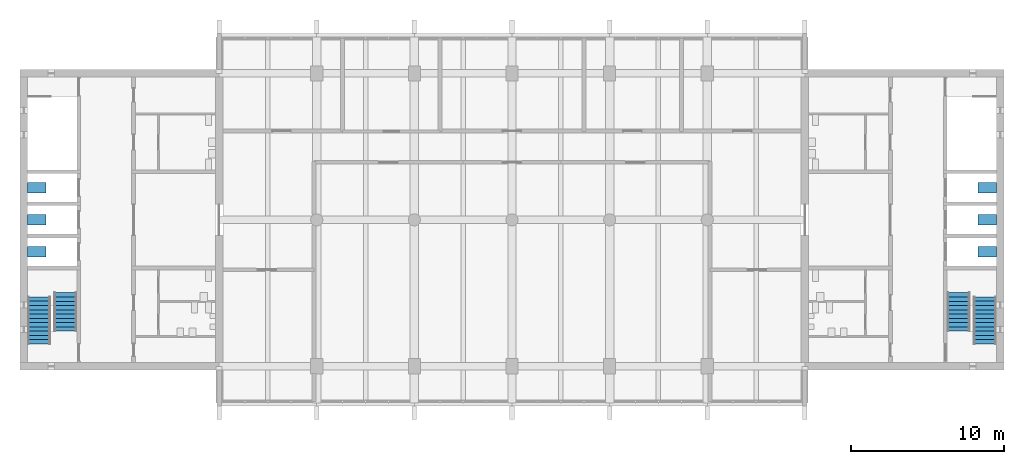
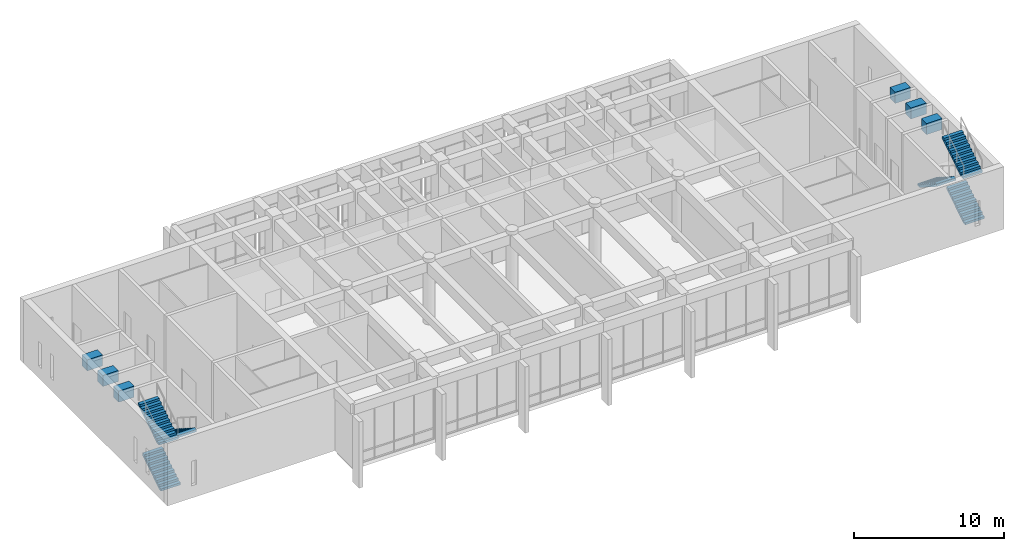
# One storey, part 7 of 10: 6 building element parts, 6 stair flights, 2 elements without a shape of their own.
"""IFC4 building model written with IfcOpenShell, lengths in metres."""

from ifc_helpers import new_model, si_unit, direction, frame, origin, origin_2d, place, context, subcontext, project, spatial, polyline, rectangle, outline, extrude, material, type_object, element, aggregate, save


model = new_model("IFC4")

# Units and contexts
model_context = context("Model", 3, precision=1e-05, world=origin(), true_north=direction((0.0, 1.0)))
body_context = subcontext(model_context, "Body", "Model", "MODEL_VIEW")
ifc_project = project(units=[si_unit("LENGTHUNIT", "METRE"), si_unit("AREAUNIT", "SQUARE_METRE"), si_unit("VOLUMEUNIT", "CUBIC_METRE"), si_unit("PLANEANGLEUNIT", "RADIAN"), si_unit("MASSUNIT", "GRAM", prefix="KILO")], contexts=[model_context])

# Site, building, storey
site_placement = place(None, origin())
site = spatial("IfcSite", under=ifc_project, at=site_placement, CompositionType="ELEMENT")
building_placement = place(site_placement, origin())
building = spatial("IfcBuilding", under=site, at=building_placement, Name="Fogon Plaza Fire Station and Headquarters Tower", CompositionType="ELEMENT")
storey_placement = place(building_placement, frame((0.0, 0.0, 64.199951171875)))
storey = spatial("IfcBuildingStorey", under=building, at=storey_placement, Name="L16", CompositionType="ELEMENT", Elevation=64.199951171875)

# Stair, stair flights
ifc_material_1 = material(Name="Concrete C40", Category="concrete")
stair_type = type_object("IfcStairType", Name="Exit Stair Two Flights", PredefinedType="TWO_STRAIGHT_RUN_STAIR", material=ifc_material_1)
stair_1_placement = place(storey_placement, origin())
stair_1 = element("IfcStair", 1, at=stair_1_placement, inside=storey, type_object=stair_type, Name="Stair ST1", PredefinedType="TWO_STRAIGHT_RUN_STAIR")
ifc_material_2 = material(Name="Concrete C40", Category="concrete")
stair_flight_type_1 = type_object("IfcStairFlightType", Name="Stair Flight 10 Risers", PredefinedType="STRAIGHT", material=ifc_material_2)
stair_flight_1_placement = place(storey_placement, frame((13.800048828125, 35.060791015625, 0.0), z_axis=(0.0, 0.0, 1.0), x_axis=(0.0, 1.0, 0.0)))
stair_flight_1 = element("IfcStairFlight", 2, at=stair_flight_1_placement, type_object=stair_flight_type_1, Name="ST1 flight F35", NumberOfRisers=10, NumberOfTreads=9, PredefinedType="STRAIGHT", RiserHeight=0.178387097, TreadLength=0.28, context=body_context, shape_type="SweptSolid", body=[
    extrude(outline(polyline([(0.0, 0.0), (0.0, 0.178466796875), (0.280029296875, 0.178466796875), (0.280029296875, 0.356689453125), (0.56005859375, 0.356689453125), (0.56005859375, 0.53515625), (0.840087890625, 0.53515625), (0.840087890625, 0.713623046875), (1.1201171875, 0.713623046875), (1.1201171875, 0.891845703125), (1.39990234375, 0.891845703125), (1.39990234375, 1.0703125), (1.679931640625, 1.0703125), (1.679931640625, 1.248779296875), (1.9599609375, 1.248779296875), (1.9599609375, 1.427001953125), (2.239990234375, 1.427001953125), (2.239990234375, 1.60546875), (2.52001953125, 1.60546875), (2.52001953125, 1.783935546875), (2.52001953125, 1.427734375), (0.279052734375, 0.0), (0.0, 0.0)])), frame((0.0, 0.75, 0.0), z_axis=(0.0, -1.0, 0.0), x_axis=(1.0, 0.0, 0.0)), (0.0, 0.0, 1.0), 1.5),
])
stair_flight_2_placement = place(storey_placement, frame((15.52490234375, 38.42431640625, 1.783935546875), z_axis=(0.0, 0.0, 1.0), x_axis=(0.0, -1.0, 0.0)))
stair_flight_2 = element("IfcStairFlight", 3, at=stair_flight_2_placement, type_object=stair_flight_type_1, Name="ST1 flight F36", NumberOfRisers=10, NumberOfTreads=9, PredefinedType="STRAIGHT", RiserHeight=0.178387097, TreadLength=0.28, context=body_context, shape_type="SweptSolid", body=[
    extrude(outline(polyline([(0.0, 0.0), (0.0, 0.178466796875), (0.280029296875, 0.178466796875), (0.280029296875, 0.356689453125), (0.56005859375, 0.356689453125), (0.56005859375, 0.53515625), (0.840087890625, 0.53515625), (0.840087890625, 0.713623046875), (1.1201171875, 0.713623046875), (1.1201171875, 0.891845703125), (1.39990234375, 0.891845703125), (1.39990234375, 1.0703125), (1.679931640625, 1.0703125), (1.679931640625, 1.248779296875), (1.9599609375, 1.248779296875), (1.9599609375, 1.427001953125), (2.239990234375, 1.427001953125), (2.239990234375, 1.60546875), (2.52001953125, 1.60546875), (2.52001953125, 1.783935546875), (2.52001953125, 1.427734375), (0.279052734375, 0.0), (0.0, 0.0)])), frame((0.0, 0.75, 0.0), z_axis=(0.0, -1.0, 0.0), x_axis=(1.0, 0.0, 0.0)), (0.0, 0.0, 1.0), 1.5),
])

stair_2_placement = place(storey_placement, origin())
stair_2 = element("IfcStair", 4, at=stair_2_placement, inside=storey, type_object=stair_type, Name="Stair ST3", PredefinedType="TWO_STRAIGHT_RUN_STAIR")
stair_flight_3_placement = place(storey_placement, frame((75.800048828125, 35.060791015625, 0.0), z_axis=(0.0, 0.0, 1.0), x_axis=(0.0, 1.0, 0.0)))
stair_flight_3 = element("IfcStairFlight", 5, at=stair_flight_3_placement, type_object=stair_flight_type_1, Name="ST3 flight F35", NumberOfRisers=10, NumberOfTreads=9, PredefinedType="STRAIGHT", RiserHeight=0.178387097, TreadLength=0.28, context=body_context, shape_type="SweptSolid", body=[
    extrude(outline(polyline([(0.0, 0.0), (0.0, 0.178466796875), (0.280029296875, 0.178466796875), (0.280029296875, 0.356689453125), (0.56005859375, 0.356689453125), (0.56005859375, 0.53515625), (0.840087890625, 0.53515625), (0.840087890625, 0.713623046875), (1.1201171875, 0.713623046875), (1.1201171875, 0.891845703125), (1.39990234375, 0.891845703125), (1.39990234375, 1.0703125), (1.679931640625, 1.0703125), (1.679931640625, 1.248779296875), (1.9599609375, 1.248779296875), (1.9599609375, 1.427001953125), (2.239990234375, 1.427001953125), (2.239990234375, 1.60546875), (2.52001953125, 1.60546875), (2.52001953125, 1.783935546875), (2.52001953125, 1.427734375), (0.279052734375, 0.0), (0.0, 0.0)])), frame((0.0, 0.75, 0.0), z_axis=(0.0, -1.0, 0.0), x_axis=(1.0, 0.0, 0.0)), (0.0, 0.0, 1.0), 1.5),
])
stair_flight_4_placement = place(storey_placement, frame((74.074951171875, 38.42431640625, 1.783935546875), z_axis=(0.0, 0.0, 1.0), x_axis=(0.0, -1.0, 0.0)))
stair_flight_4 = element("IfcStairFlight", 6, at=stair_flight_4_placement, type_object=stair_flight_type_1, Name="ST3 flight F36", NumberOfRisers=10, NumberOfTreads=9, PredefinedType="STRAIGHT", RiserHeight=0.178387097, TreadLength=0.28, context=body_context, shape_type="SweptSolid", body=[
    extrude(outline(polyline([(0.0, 0.0), (0.0, 0.178466796875), (0.280029296875, 0.178466796875), (0.280029296875, 0.356689453125), (0.56005859375, 0.356689453125), (0.56005859375, 0.53515625), (0.840087890625, 0.53515625), (0.840087890625, 0.713623046875), (1.1201171875, 0.713623046875), (1.1201171875, 0.891845703125), (1.39990234375, 0.891845703125), (1.39990234375, 1.0703125), (1.679931640625, 1.0703125), (1.679931640625, 1.248779296875), (1.9599609375, 1.248779296875), (1.9599609375, 1.427001953125), (2.239990234375, 1.427001953125), (2.239990234375, 1.60546875), (2.52001953125, 1.60546875), (2.52001953125, 1.783935546875), (2.52001953125, 1.427734375), (0.279052734375, 0.0), (0.0, 0.0)])), frame((0.0, 0.75, 0.0), z_axis=(0.0, -1.0, 0.0), x_axis=(1.0, 0.0, 0.0)), (0.0, 0.0, 1.0), 1.5),
])

# Stair flight
ifc_material_3 = material(Name="Concrete C40", Category="concrete")
stair_flight_type_2 = type_object("IfcStairFlightType", Name="Stair Flight 11 Risers", PredefinedType="STRAIGHT", material=ifc_material_3)
stair_flight_5_placement = place(storey_placement, frame((13.800048828125, 35.350830078125, 3.56787109375), z_axis=(0.0, 0.0, 1.0), x_axis=(0.0, 1.0, 0.0)))
stair_flight_5 = element("IfcStairFlight", 7, at=stair_flight_5_placement, type_object=stair_flight_type_2, Name="ST1 flight F37", NumberOfRisers=11, NumberOfTreads=10, PredefinedType="STRAIGHT", RiserHeight=0.178387097, TreadLength=0.28, context=body_context, shape_type="SweptSolid", body=[
    extrude(outline(polyline([(0.0, 0.0), (0.0, 0.178466796875), (0.280029296875, 0.178466796875), (0.280029296875, 0.356689453125), (0.56005859375, 0.356689453125), (0.56005859375, 0.53515625), (0.840087890625, 0.53515625), (0.840087890625, 0.713623046875), (1.1201171875, 0.713623046875), (1.1201171875, 0.891845703125), (1.39990234375, 0.891845703125), (1.39990234375, 1.0703125), (1.679931640625, 1.0703125), (1.679931640625, 1.248779296875), (1.9599609375, 1.248779296875), (1.9599609375, 1.427001953125), (2.239990234375, 1.427001953125), (2.239990234375, 1.60546875), (2.52001953125, 1.60546875), (2.52001953125, 1.783935546875), (2.800048828125, 1.783935546875), (2.800048828125, 1.962158203125), (2.800048828125, 1.606201171875), (0.279052734375, 0.0), (0.0, 0.0)])), frame((0.0, 0.75, 0.0), z_axis=(0.0, -1.0, 0.0), x_axis=(1.0, 0.0, 0.0)), (0.0, 0.0, 1.0), 1.5),
])

aggregate(stair_1, [stair_flight_1, stair_flight_2, stair_flight_5])

stair_flight_6_placement = place(storey_placement, frame((75.800048828125, 35.350830078125, 3.56787109375), z_axis=(0.0, 0.0, 1.0), x_axis=(0.0, 1.0, 0.0)))
stair_flight_6 = element("IfcStairFlight", 8, at=stair_flight_6_placement, type_object=stair_flight_type_2, Name="ST3 flight F37", NumberOfRisers=11, NumberOfTreads=10, PredefinedType="STRAIGHT", RiserHeight=0.178387097, TreadLength=0.28, context=body_context, shape_type="SweptSolid", body=[
    extrude(outline(polyline([(0.0, 0.0), (0.0, 0.178466796875), (0.280029296875, 0.178466796875), (0.280029296875, 0.356689453125), (0.56005859375, 0.356689453125), (0.56005859375, 0.53515625), (0.840087890625, 0.53515625), (0.840087890625, 0.713623046875), (1.1201171875, 0.713623046875), (1.1201171875, 0.891845703125), (1.39990234375, 0.891845703125), (1.39990234375, 1.0703125), (1.679931640625, 1.0703125), (1.679931640625, 1.248779296875), (1.9599609375, 1.248779296875), (1.9599609375, 1.427001953125), (2.239990234375, 1.427001953125), (2.239990234375, 1.60546875), (2.52001953125, 1.60546875), (2.52001953125, 1.783935546875), (2.800048828125, 1.783935546875), (2.800048828125, 1.962158203125), (2.800048828125, 1.606201171875), (0.279052734375, 0.0), (0.0, 0.0)])), frame((0.0, 0.75, 0.0), z_axis=(0.0, -1.0, 0.0), x_axis=(1.0, 0.0, 0.0)), (0.0, 0.0, 1.0), 1.5),
])

aggregate(stair_2, [stair_flight_3, stair_flight_4, stair_flight_6])

# Building element parts
for number, where, z_axis, x_axis, name in (
    (9, (13.64990234375, 41.10009765625, 3.800048828125), (0.0, 0.0, 1.0), (1.0, 0.0, 0.0), "Lift machine LP1"),
    (10, (13.64990234375, 43.199951171875, 3.800048828125), (0.0, 0.0, 1.0), (1.0, 0.0, 0.0), "Lift machine LP2"),
    (11, (13.64990234375, 45.300048828125, 3.800048828125), (0.0, 0.0, 1.0), (1.0, 0.0, 0.0), "Lift machine FL1"),
    (12, (75.949951171875, 41.10009765625, 3.800048828125), (0.0, 0.0, 1.0), (1.0, 0.0, 0.0), "Lift machine LP3"),
    (13, (75.949951171875, 43.199951171875, 3.800048828125), (0.0, 0.0, 1.0), (1.0, 0.0, 0.0), "Lift machine LP4"),
    (14, (75.949951171875, 45.300048828125, 3.800048828125), (0.0, 0.0, 1.0), (1.0, 0.0, 0.0), "Lift machine FL2"),
):
    element("IfcBuildingElementPart", number, at=place(storey_placement, frame(where, z_axis=z_axis, x_axis=x_axis)), inside=storey, Name=name, ObjectType="Lift machine", PredefinedType="USERDEFINED", context=body_context, shape_type="SweptSolid", body=[
        extrude(rectangle(XDim=1.199951171875, YDim=0.699951171875, at=origin_2d()), origin(), (0.0, 0.0, 1.0), 0.89990234375),
    ])

save(model, "model.ifc")
